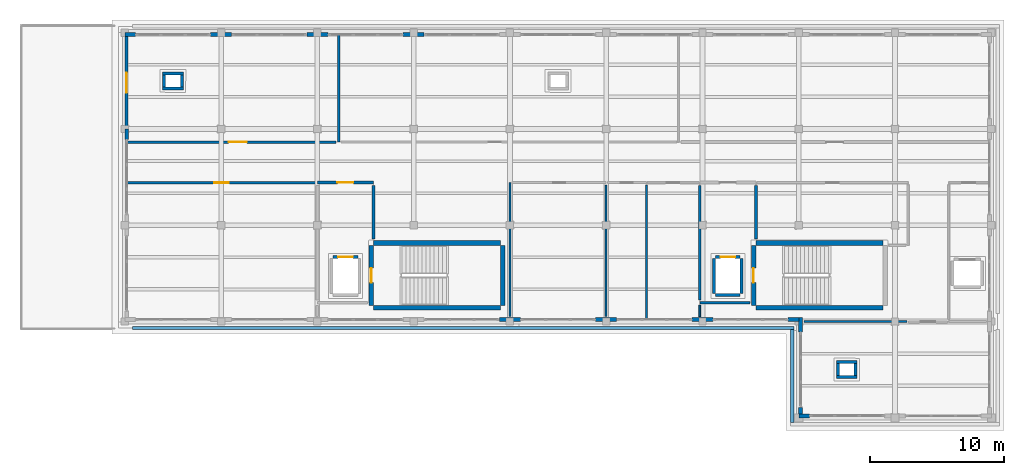
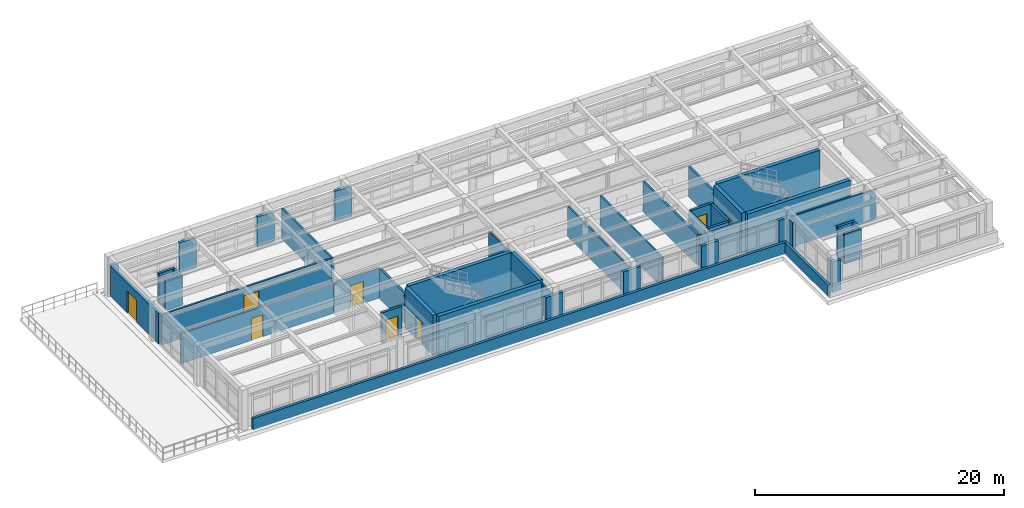
# One storey, part 15 of 21: 48 walls, 8 doors, 8 openings.
"""IFC4 building model written with IfcOpenShell, lengths in metres."""

import ifcopenshell
import ifcopenshell.guid

model = None  # the IFC model being written
_history = None  # IfcOwnerHistory: only IFC2X3 demands one
_inside = {}  # id of a spatial element -> (the spatial element, [elements in it])
_under = {}  # id of a project, library or spatial element -> (it, [spatial elements below it])
_declared = {}  # id of a project -> (the project, [libraries it declares])
_typed = {}  # id of a type object -> (the type object, [elements of that type])
_made_of = {}  # id of a material, layer set ... -> (it, [elements and type objects made of it])


def new_model(schema):
    """Start an empty IFC model of exactly this schema.

    Asked for "IFC4X3", IfcOpenShell would pick the latest addendum, in which some entities
    have other attributes; the version numbers below select the first issue.
    IFC2X3 requires an IfcOwnerHistory on every rooted entity: one is made here for all.
    """
    global model, _history
    if schema == "IFC4X3":
        model = ifcopenshell.file(schema_version=(4, 3, 0, 0))
    else:
        model = ifcopenshell.file(schema=schema)
    _inside.clear()
    _under.clear()
    _declared.clear()
    _typed.clear()
    _made_of.clear()
    _history = None
    if model.schema == "IFC2X3":
        org = make("IfcOrganization", Name="unknown")
        user = make(
            "IfcPersonAndOrganization",
            ThePerson=make("IfcPerson", FamilyName="unknown"),
            TheOrganization=org,
        )
        app = make(
            "IfcApplication",
            ApplicationDeveloper=org,
            Version="unknown",
            ApplicationFullName="unknown",
            ApplicationIdentifier="unknown",
        )
        _history = make(
            "IfcOwnerHistory",
            OwningUser=user,
            OwningApplication=app,
            ChangeAction="ADDED",
            CreationDate=0,
        )
    return model


def make(cls, **values):
    """One entity of the class cls with the attributes given. An attribute that is None is left unset."""
    return model.create_entity(
        cls, **{name: value for name, value in values.items() if value is not None}
    )


def rooted(cls, **values):
    """An entity with a GlobalId (a new one), such as an element, a storey or a relation."""
    return make(cls, GlobalId=ifcopenshell.guid.new(), OwnerHistory=_history, **values)


def si_unit(unit_type, name, prefix=None):
    """IfcSIUnit, for example si_unit("LENGTHUNIT", "METRE", prefix="MILLI")."""
    return make("IfcSIUnit", UnitType=unit_type, Prefix=prefix, Name=name)


def assignment(units):
    """IfcUnitAssignment: the units of a project."""
    return None if units is None else make("IfcUnitAssignment", Units=units)


def point(xyz):
    """IfcCartesianPoint."""
    return None if xyz is None else make("IfcCartesianPoint", Coordinates=xyz)


def direction(xyz):
    """IfcDirection."""
    return None if xyz is None else make("IfcDirection", DirectionRatios=xyz)


def frame(location, z_axis=None, x_axis=None):
    """IfcAxis2Placement3D, a coordinate frame: its origin and axes. An axis left out is left unset."""
    return make(
        "IfcAxis2Placement3D",
        Location=point(location),
        Axis=direction(z_axis),
        RefDirection=direction(x_axis),
    )


def frame_2d(location, x_axis=None):
    """IfcAxis2Placement2D, a coordinate frame in the plane: its origin and x axis."""
    return make(
        "IfcAxis2Placement2D", Location=point(location), RefDirection=direction(x_axis)
    )


def origin():
    """The frame at (0, 0, 0) with its axes left unset."""
    return frame((0.0, 0.0, 0.0))


def place(relative_to, where):
    """IfcLocalPlacement: puts the frame where relative to a parent placement (None: the world)."""
    return make(
        "IfcLocalPlacement", PlacementRelTo=relative_to, RelativePlacement=where
    )


def context(
    kind, dimensions, precision=None, world=None, true_north=None, identifier=None
):
    """IfcGeometricRepresentationContext, for example the 3D "Model" context."""
    return make(
        "IfcGeometricRepresentationContext",
        ContextIdentifier=identifier,
        ContextType=kind,
        CoordinateSpaceDimension=dimensions,
        Precision=precision,
        WorldCoordinateSystem=world,
        TrueNorth=true_north,
    )


def subcontext(parent, identifier, kind, view, scale=None):
    """IfcGeometricRepresentationSubContext, for example "Body" below "Model"."""
    return make(
        "IfcGeometricRepresentationSubContext",
        ContextIdentifier=identifier,
        ContextType=kind,
        ParentContext=parent,
        TargetScale=scale,
        TargetView=view,
    )


def project(units=None, contexts=None):
    """IfcProject with its units and contexts."""
    return rooted(
        "IfcProject",
        Name="project",
        RepresentationContexts=contexts,
        UnitsInContext=assignment(units),
    )


def spatial(cls, under=None, at=None, **own):
    """A site, building, storey or space (cls), placed at a placement, below another one or the project."""
    s = rooted(cls, ObjectPlacement=at, **own)
    if under is not None:
        _under.setdefault(under.id(), (under, []))[1].append(s)
    return s


def profile(cls, at=None, kind="AREA", **sizes):
    """A parametric profile (cls). Its sizes go by their IFC names, for example OverallWidth=200.0."""
    return make(cls, ProfileType=kind, Position=at, **sizes)


def rectangle(**sizes):
    """IfcRectangleProfileDef."""
    return profile("IfcRectangleProfileDef", **sizes)


def extrude(swept, where, along, depth):
    """IfcExtrudedAreaSolid: the profile swept, set in the frame where, extruded along a direction by depth."""
    return make(
        "IfcExtrudedAreaSolid",
        SweptArea=swept,
        Position=where,
        ExtrudedDirection=direction(along),
        Depth=depth,
    )


def shape(context_of_items, identifier, shape_type, items):
    """IfcShapeRepresentation: the items that make up one representation, for example the "Body"."""
    return make(
        "IfcShapeRepresentation",
        ContextOfItems=context_of_items,
        RepresentationIdentifier=identifier,
        RepresentationType=shape_type,
        Items=items,
    )


def material(Name=None, Category=None):
    """IfcMaterial."""
    return make("IfcMaterial", Name=Name, Category=Category)


def layer(
    of_material, thickness, ventilated=None, Name=None, Category=None, Priority=None
):
    """IfcMaterialLayer: one layer of a wall or slab, of a material (None: an air gap)."""
    return make(
        "IfcMaterialLayer",
        Material=of_material,
        LayerThickness=thickness,
        IsVentilated=ventilated,
        Name=Name,
        Category=Category,
        Priority=Priority,
    )


def layer_set(layers, Name=None):
    """IfcMaterialLayerSet."""
    return make("IfcMaterialLayerSet", MaterialLayers=layers, LayerSetName=Name)


def made_of(thing, what):
    """Note that an element or type object is made of a material, layer set ...; save() writes the relation."""
    if what is not None:
        _made_of.setdefault(what.id(), (what, []))[1].append(thing)
    return thing


def type_object(cls, material=None, **own):
    """A type object (cls), such as IfcWallType, which elements share."""
    return made_of(rooted(cls, **own), material)


def element(
    cls,
    number,
    at=None,
    inside=None,
    cuts=None,
    type_object=None,
    material=None,
    context=None,
    identifier="Body",
    shape_type=None,
    held_by="IfcProductDefinitionShape",
    body=None,
    shapes=None,
    **own,
):
    """One element of the class cls, such as IfcWall. Its Tag is "e" and its number.

    at: its placement. inside: the storey or other place that contains it. cuts: it is an
    opening in that element (IfcRelVoidsElement). A single representation is given by context,
    identifier, shape_type and body (its items); several are given by shapes. held_by: the class
    of the entity that holds the representations. save() writes the other relations.
    """
    e = rooted(cls, Tag="e%d" % number, ObjectPlacement=at, **own)
    if body is not None:
        shapes = [shape(context, identifier, shape_type, body)]
    if shapes is not None:
        e.Representation = make(held_by, Representations=shapes)
    if inside is not None:
        _inside.setdefault(inside.id(), (inside, []))[1].append(e)
    if cuts is not None:
        rooted(
            "IfcRelVoidsElement", RelatingBuildingElement=cuts, RelatedOpeningElement=e
        )
    if type_object is not None:
        _typed.setdefault(type_object.id(), (type_object, []))[1].append(e)
    return made_of(e, material)


def fill(opening, filler):
    """IfcRelFillsElement: the door or window that sits in an opening."""
    return rooted(
        "IfcRelFillsElement",
        RelatingOpeningElement=opening,
        RelatedBuildingElement=filler,
    )


def aggregate(whole, parts):
    """IfcRelAggregates: a whole, such as a stair, and the parts it consists of."""
    return rooted("IfcRelAggregates", RelatingObject=whole, RelatedObjects=parts)


def save(model, path):
    """Write the relations noted so far, then the file.

    IfcRelAggregates (storeys below a building ...), IfcRelContainedInSpatialStructure (elements
    in a storey), IfcRelDefinesByType, IfcRelAssociatesMaterial and IfcRelDeclares: one each for
    every whole, place, type object, material and project.
    """
    for whole, parts in _under.values():
        aggregate(whole, parts)
    for where, things in _inside.values():
        rooted(
            "IfcRelContainedInSpatialStructure",
            RelatedElements=things,
            RelatingStructure=where,
        )
    for kind, things in _typed.values():
        rooted("IfcRelDefinesByType", RelatedObjects=things, RelatingType=kind)
    for what, things in _made_of.values():
        rooted("IfcRelAssociatesMaterial", RelatedObjects=things, RelatingMaterial=what)
    for by, libraries in _declared.values():
        rooted("IfcRelDeclares", RelatingContext=by, RelatedDefinitions=libraries)
    model.write(path)


model = new_model("IFC4")

# Units and contexts
model_context = context("Model", 3, precision=1e-05, world=origin(), true_north=direction((0.0, 1.0)))
body_context = subcontext(model_context, "Body", "Model", "MODEL_VIEW")
ifc_project = project(units=[si_unit("LENGTHUNIT", "METRE"), si_unit("AREAUNIT", "SQUARE_METRE"), si_unit("VOLUMEUNIT", "CUBIC_METRE"), si_unit("PLANEANGLEUNIT", "RADIAN"), si_unit("MASSUNIT", "GRAM", prefix="KILO")], contexts=[model_context])

# Site, building, storey
site_placement = place(None, origin())
site = spatial("IfcSite", under=ifc_project, at=site_placement, CompositionType="ELEMENT")
building_placement = place(site_placement, origin())
building = spatial("IfcBuilding", under=site, at=building_placement, Name="Solenvale Faculty of Natural Sciences", CompositionType="ELEMENT")
storey_placement = place(building_placement, frame((0.0, 0.0, 31.199951171875)))
storey = spatial("IfcBuildingStorey", under=building, at=storey_placement, Name="L07", CompositionType="ELEMENT", Elevation=31.199951171875)

# Wall, opening, door
ifc_material_1 = material(Name="Precast concrete 40 MPa", Category="concrete")
ifc_layer_1 = layer(ifc_material_1, 0.2451171875)
ifc_layer_set_1 = layer_set([ifc_layer_1], Name="Precast concrete 40 MPa")
wall_type_1 = type_object("IfcWallType", Name="WL-EXT-PRC-245", PredefinedType="STANDARD", material=ifc_layer_set_1)
wall_1_placement = place(storey_placement, frame((86.5224609375, 108.0, 0.0), z_axis=(0.0, 0.0, 1.0), x_axis=(0.0, 1.0, 0.0)))
wall_1 = element("IfcWall", 1, at=wall_1_placement, inside=storey, type_object=wall_type_1, Name="L07 Exterior Wall 3.1", PredefinedType="STANDARD", context=body_context, shape_type="SweptSolid", body=[
    extrude(rectangle(XDim=6.9150390625, YDim=0.2451171875, at=frame_2d((3.45751953125, 0.0))), origin(), (0.0, 0.0, 1.0), 2.9599609375),
])
opening_1_placement = place(wall_1_placement, frame((2.7080078125, 0.0, 0.0)))
opening_1 = element("IfcOpeningElement", 2, at=opening_1_placement, cuts=wall_1, Name="Opening TD-46", PredefinedType="OPENING", context=body_context, shape_type="SweptSolid", body=[
    extrude(rectangle(XDim=1.5, YDim=2.14990234375, at=frame_2d((0.75, 1.074951171875))), frame((0.0, 0.132568359375, 0.0), z_axis=(0.0, -1.0, 0.0), x_axis=(1.0, 0.0, 0.0)), (0.0, 0.0, 1.0), 0.26513671875),
])
ifc_material_2 = material(Name="Anodised bronze aluminium", Category="aluminium")
door_type_1 = type_object("IfcDoorType", Name="DR-TER-1500x2150", OperationType="NOTDEFINED", PredefinedType="DOOR", material=ifc_material_2)
door_1_placement = place(opening_1_placement, origin())
door_1 = element("IfcDoor", 3, at=door_1_placement, inside=storey, type_object=door_type_1, Name="L07 Exterior Terrace Door TD-46", OperationType="DOUBLE_DOOR_SINGLE_SWING", OverallHeight=2.14990234375, OverallWidth=1.5, PredefinedType="DOOR", context=body_context, shape_type="SweptSolid", body=[
    extrude(rectangle(XDim=1.5, YDim=2.14990234375, at=frame_2d((0.75, 1.074951171875))), frame((0.0, 0.02490234375, 0.0), z_axis=(0.0, -1.0, 0.0), x_axis=(1.0, 0.0, 0.0)), (0.0, 0.0, 1.0), 0.050048828125),
])
fill(opening_1, door_1)

# Walls
ifc_layer_2 = layer(ifc_material_1, 0.284912109375)
ifc_layer_set_2 = layer_set([ifc_layer_2], Name="Precast concrete 40 MPa")
wall_type_2 = type_object("IfcWallType", Name="WL-EXT-PRC-285", PredefinedType="STANDARD", material=ifc_layer_set_2)
wall_2_placement = place(storey_placement, frame((108.7880859375, 115.0576171875, 0.0), z_axis=(0.0, 0.0, 1.0), x_axis=(-1.0, 0.0, 0.0)))
element("IfcWall", 4, at=wall_2_placement, inside=storey, type_object=wall_type_2, Name="L07 Facade Closure Pier 2.B6-R", PredefinedType="STANDARD", context=body_context, shape_type="SweptSolid", body=[
    extrude(rectangle(XDim=1.576171875, YDim=0.284912109375, at=frame_2d((0.7880859375, 0.0))), origin(), (0.0, 0.0, 1.0), 2.9599609375),
])
for number, where, z_axis, x_axis, name in (
    (5, (101.587890625, 115.0576171875, 0.0), (0.0, 0.0, 1.0), (-1.0, 0.0, 0.0), "L07 Facade Closure Pier 2.B7-R"),
    (6, (94.387939453125, 115.0576171875, 0.0), (0.0, 0.0, 1.0), (-1.0, 0.0, 0.0), "L07 Facade Closure Pier 2.B8-R"),
):
    element("IfcWall", number, at=place(storey_placement, frame(where, z_axis=z_axis, x_axis=x_axis)), inside=storey, type_object=wall_type_2, Name=name, PredefinedType="STANDARD", context=body_context, shape_type="SweptSolid", body=[
        extrude(rectangle(XDim=1.575927734375, YDim=0.284912109375, at=frame_2d((0.7880859375, 0.0))), origin(), (0.0, 0.0, 1.0), 2.9599609375),
    ])
for number, where, z_axis, x_axis, name in (
    (7, (87.18798828125, 115.0576171875, 0.0), (0.0, 0.0, 1.0), (-1.0, 0.0, 0.0), "L07 Facade Closure Pier 2.B9-R"),
    (8, (86.54248046875, 108.0, 0.0), (0.0, 0.0, 1.0), (0.0, -1.0, 0.0), "L07 Facade Closure Pier 3.B2-L"),
):
    element("IfcWall", number, at=place(storey_placement, frame(where, z_axis=z_axis, x_axis=x_axis)), inside=storey, type_object=wall_type_2, Name=name, PredefinedType="STANDARD", context=body_context, shape_type="SweptSolid", body=[
        extrude(rectangle(XDim=0.7880859375, YDim=0.284912109375, at=frame_2d((0.39404296875, 0.0))), origin(), (0.0, 0.0, 1.0), 2.9599609375),
    ])
for number, where, z_axis, x_axis, name in (
    (9, (114.412109375, 93.742431640625, 0.0), (0.0, 0.0, 1.0), (1.0, 0.0, 0.0), "L07 Facade Closure Pier 4.B4-R"),
    (10, (121.612060546875, 93.742431640625, 0.0), (0.0, 0.0, 1.0), (1.0, 0.0, 0.0), "L07 Facade Closure Pier 4.B5-R"),
    (11, (128.81201171875, 93.742431640625, 0.0), (0.0, 0.0, 1.0), (1.0, 0.0, 0.0), "L07 Facade Closure Pier 4.B6-R"),
):
    element("IfcWall", number, at=place(storey_placement, frame(where, z_axis=z_axis, x_axis=x_axis)), inside=storey, type_object=wall_type_2, Name=name, PredefinedType="STANDARD", context=body_context, shape_type="SweptSolid", body=[
        extrude(rectangle(XDim=1.575927734375, YDim=0.284912109375, at=frame_2d((0.7880859375, 0.0))), origin(), (0.0, 0.0, 1.0), 2.9599609375),
    ])
wall_3_placement = place(storey_placement, frame((136.011962890625, 93.742431640625, 0.0), z_axis=(0.0, 0.0, 1.0), x_axis=(1.0, 0.0, 0.0)))
element("IfcWall", 12, at=wall_3_placement, inside=storey, type_object=wall_type_2, Name="L07 Facade Closure Pier 4.B7-R", PredefinedType="STANDARD", context=body_context, shape_type="SweptSolid", body=[
    extrude(rectangle(XDim=0.7880859375, YDim=0.284912109375, at=frame_2d((0.39404296875, 0.0))), origin(), (0.0, 0.0, 1.0), 2.9599609375),
])
wall_4_placement = place(storey_placement, frame((136.9423828125, 93.885009765625, 0.0), z_axis=(0.0, 0.0, 1.0), x_axis=(0.0, -1.0, 0.0)))
element("IfcWall", 13, at=wall_4_placement, inside=storey, type_object=wall_type_2, Name="L07 Facade Closure Pier 5.B1-L", PredefinedType="STANDARD", context=body_context, shape_type="SweptSolid", body=[
    extrude(rectangle(XDim=1.072998046875, YDim=0.284912109375, at=frame_2d((0.53662109375, 0.0))), origin(), (0.0, 0.0, 1.0), 2.9599609375),
])
wall_5_placement = place(storey_placement, frame((136.9423828125, 87.18798828125, 0.0), z_axis=(0.0, 0.0, 1.0), x_axis=(0.0, -1.0, 0.0)))
element("IfcWall", 14, at=wall_5_placement, inside=storey, type_object=wall_type_2, Name="L07 Facade Closure Pier 5.B1-R", PredefinedType="STANDARD", context=body_context, shape_type="SweptSolid", body=[
    extrude(rectangle(XDim=0.5029296875, YDim=0.284912109375, at=frame_2d((0.25146484375, 0.0))), origin(), (0.0, 0.0, 1.0), 2.9599609375),
])
wall_6_placement = place(storey_placement, frame((136.800048828125, 86.54248046875, 0.0), z_axis=(0.0, 0.0, 1.0), x_axis=(1.0, 0.0, 0.0)))
element("IfcWall", 15, at=wall_6_placement, inside=storey, type_object=wall_type_2, Name="L07 Facade Closure Pier 6.B1-L", PredefinedType="STANDARD", context=body_context, shape_type="SweptSolid", body=[
    extrude(rectangle(XDim=0.787841796875, YDim=0.284912109375, at=frame_2d((0.39404296875, 0.0))), origin(), (0.0, 0.0, 1.0), 2.9599609375),
])

# Wall, opening, door
ifc_material_3 = material(Name="Gypsum fire-rated shaftwall")
ifc_layer_3 = layer(ifc_material_3, 0.205078125)
ifc_layer_set_3 = layer_set([ifc_layer_3], Name="Gypsum fire-rated shaftwall")
wall_type_3 = type_object("IfcWallType", Name="WL-FFL-205", PredefinedType="PARTITIONING", material=ifc_layer_set_3)
wall_7_placement = place(storey_placement, frame((100.800048828125, 104.0, 0.0), z_axis=(0.0, 0.0, 1.0), x_axis=(1.0, 0.0, 0.0)))
wall_7 = element("IfcWall", 16, at=wall_7_placement, inside=storey, type_object=wall_type_3, Name="L07 Firefighting Lobby C4 Partition 1", PredefinedType="PARTITIONING", context=body_context, shape_type="SweptSolid", body=[
    extrude(rectangle(XDim=4.199951171875, YDim=0.205078125, at=frame_2d((2.10009765625, 0.0))), origin(), (0.0, 0.0, 1.0), 2.9599609375),
])
opening_2_placement = place(wall_7_placement, frame((1.5, 0.0, 0.0)))
opening_2 = element("IfcOpeningElement", 17, at=opening_2_placement, cuts=wall_7, Name="Opening D-L07-01", PredefinedType="OPENING", context=body_context, shape_type="SweptSolid", body=[
    extrude(rectangle(XDim=1.199951171875, YDim=2.14990234375, at=frame_2d((0.60009765625, 1.074951171875))), frame((0.0, 0.112548828125, 0.0), z_axis=(0.0, -1.0, 0.0), x_axis=(1.0, 0.0, 0.0)), (0.0, 0.0, 1.0), 0.22509765625),
])
ifc_material_4 = material(Name="Galvanised steel S355", Category="steel")
door_type_2 = type_object("IfcDoorType", Name="DR-FFL-1200x2150", OperationType="NOTDEFINED", PredefinedType="DOOR", material=ifc_material_4)
door_2_placement = place(opening_2_placement, origin())
door_2 = element("IfcDoor", 18, at=door_2_placement, inside=storey, type_object=door_type_2, Name="L07 Firefighting Lobby C4 Door", OperationType="SINGLE_SWING_RIGHT", OverallHeight=2.14990234375, OverallWidth=1.199951171875, PredefinedType="DOOR", context=body_context, shape_type="SweptSolid", body=[
    extrude(rectangle(XDim=1.199951171875, YDim=2.14990234375, at=frame_2d((0.60009765625, 1.074951171875))), frame((0.0, 0.02490234375, 0.0), z_axis=(0.0, -1.0, 0.0), x_axis=(1.0, 0.0, 0.0)), (0.0, 0.0, 1.0), 0.050048828125),
])
fill(opening_2, door_2)

# Walls
for number, where, z_axis, x_axis, name in (
    (19, (105.0, 103.782958984375, 0.0), (0.0, 0.0, 1.0), (0.0, -1.0, 0.0), "L07 Firefighting Lobby C4 Partition 2"),
    (20, (133.60009765625, 103.782958984375, 0.0), (0.0, 0.0, 1.0), (0.0, -1.0, 0.0), "L07 Firefighting Lobby C5 Partition 2"),
):
    element("IfcWall", number, at=place(storey_placement, frame(where, z_axis=z_axis, x_axis=x_axis)), inside=storey, type_object=wall_type_3, Name=name, PredefinedType="PARTITIONING", context=body_context, shape_type="SweptSolid", body=[
        extrude(rectangle(XDim=4.01904296875, YDim=0.205078125, at=frame_2d((2.009521484375, 0.0))), origin(), (0.0, 0.0, 1.0), 2.9599609375),
    ])
wall_8_placement = place(storey_placement, frame((133.135986328125, 95.0, 0.0), z_axis=(0.0, 0.0, 1.0), x_axis=(-1.0, 0.0, 0.0)))
element("IfcWall", 21, at=wall_8_placement, inside=storey, type_object=wall_type_3, Name="L07 Firefighting Lobby C5 Partition 20", PredefinedType="PARTITIONING", context=body_context, shape_type="SweptSolid", body=[
    extrude(rectangle(XDim=3.736083984375, YDim=0.205078125, at=frame_2d((1.8681640625, 0.0))), origin(), (0.0, 0.0, 1.0), 2.9599609375),
])
wall_9_placement = place(storey_placement, frame((129.39990234375, 95.217041015625, 0.0), z_axis=(0.0, 0.0, 1.0), x_axis=(0.0, 1.0, 0.0)))
element("IfcWall", 22, at=wall_9_placement, inside=storey, type_object=wall_type_3, Name="L07 Firefighting Lobby C5 Partition 21", PredefinedType="PARTITIONING", context=body_context, shape_type="SweptSolid", body=[
    extrude(rectangle(XDim=8.56591796875, YDim=0.205078125, at=frame_2d((4.282958984375, 0.0))), origin(), (0.0, 0.0, 1.0), 2.9599609375),
])
ifc_material_5 = material(Name="Gypsum fire-rated laboratory partition")
ifc_layer_4 = layer(ifc_material_5, 0.18505859375)
ifc_layer_set_4 = layer_set([ifc_layer_4], Name="Gypsum fire-rated laboratory partition")
wall_type_4 = type_object("IfcWallType", Name="WL-LAB-185", PredefinedType="PARTITIONING", material=ifc_layer_set_4)
wall_10_placement = place(storey_placement, frame((102.39990234375, 115.01708984375, 0.0), z_axis=(0.0, 0.0, 1.0), x_axis=(0.0, -1.0, 0.0)))
element("IfcWall", 23, at=wall_10_placement, inside=storey, type_object=wall_type_4, Name="L07 Biophysics and Neurobiology Research Laboratory Partition 3", PredefinedType="PARTITIONING", context=body_context, shape_type="SweptSolid", body=[
    extrude(rectangle(XDim=7.9970703125, YDim=0.18505859375, at=frame_2d((3.99853515625, 0.0))), origin(), (0.0, 0.0, 1.0), 2.9599609375),
])

# Wall, opening, door
wall_11_placement = place(storey_placement, frame((102.202880859375, 107.02001953125, 0.0), z_axis=(0.0, 0.0, 1.0), x_axis=(-1.0, 0.0, 0.0)))
wall_11 = element("IfcWall", 24, at=wall_11_placement, inside=storey, type_object=wall_type_4, Name="L07 Biophysics and Neurobiology Research Laboratory Partition 4", PredefinedType="PARTITIONING", context=body_context, shape_type="SweptSolid", body=[
    extrude(rectangle(XDim=15.619873046875, YDim=0.18505859375, at=frame_2d((7.81005859375, 0.0))), origin(), (0.0, 0.0, 1.0), 2.9599609375),
])
opening_3_placement = place(wall_11_placement, frame((6.669921875, 0.0, 0.0)))
opening_3 = element("IfcOpeningElement", 25, at=opening_3_placement, cuts=wall_11, Name="Opening D-L07-03", PredefinedType="OPENING", context=body_context, shape_type="SweptSolid", body=[
    extrude(rectangle(XDim=1.3798828125, YDim=2.14990234375, at=frame_2d((0.68994140625, 1.074951171875))), frame((0.0, 0.1025390625, 0.0), z_axis=(0.0, -1.0, 0.0), x_axis=(1.0, 0.0, 0.0)), (0.0, 0.0, 1.0), 0.205078125),
])
ifc_material_6 = material(Name="Oak acoustic timber leaf", Category="wood")
door_type_3 = type_object("IfcDoorType", Name="DR-LAB-1380x2150", OperationType="NOTDEFINED", PredefinedType="DOOR", material=ifc_material_6)
door_3_placement = place(opening_3_placement, origin())
door_3 = element("IfcDoor", 26, at=door_3_placement, inside=storey, type_object=door_type_3, Name="L07 Biophysics and Neurobiology Research Laboratory Door", OperationType="SINGLE_SWING_RIGHT", OverallHeight=2.14990234375, OverallWidth=1.3798828125, PredefinedType="DOOR", context=body_context, shape_type="SweptSolid", body=[
    extrude(rectangle(XDim=1.3798828125, YDim=2.14990234375, at=frame_2d((0.68994140625, 1.074951171875))), frame((0.0, 0.02490234375, 0.0), z_axis=(0.0, -1.0, 0.0), x_axis=(1.0, 0.0, 0.0)), (0.0, 0.0, 1.0), 0.050048828125),
])
fill(opening_3, door_3)

# Walls
ifc_material_7 = material(Name="Acoustic stud gypsum partition")
ifc_layer_5 = layer(ifc_material_7, 0.132080078125)
ifc_layer_set_5 = layer_set([ifc_layer_5], Name="Acoustic stud gypsum partition")
wall_type_5 = type_object("IfcWallType", Name="WL-OFF-132", PredefinedType="PARTITIONING", material=ifc_layer_set_5)
wall_12_placement = place(storey_placement, frame((129.39990234375, 94.819091796875, 0.0), z_axis=(0.0, 0.0, 1.0), x_axis=(0.0, -1.0, 0.0)))
element("IfcWall", 27, at=wall_12_placement, inside=storey, type_object=wall_type_5, Name="L07 Analytical Balance Room Partition 20", PredefinedType="PARTITIONING", context=body_context, shape_type="SweptSolid", body=[
    extrude(rectangle(XDim=0.856201171875, YDim=0.132080078125, at=frame_2d((0.42822265625, 0.0))), origin(), (0.0, 0.0, 1.0), 2.9599609375),
])
ifc_material_8 = material(Name="Architectural bronze concrete 40 MPa", Category="concrete")
ifc_layer_6 = layer(ifc_material_8, 0.239990234375)
ifc_layer_set_6 = layer_set([ifc_layer_6], Name="Architectural bronze concrete 40 MPa")
wall_type_6 = type_object("IfcWallType", Name="WL-PAR-BRZ-240", PredefinedType="PARAPET", material=ifc_layer_set_6)
wall_13_placement = place(storey_placement, frame((136.43994140625, 93.1201171875, 0.0), z_axis=(0.0, 0.0, 1.0), x_axis=(-1.0, 0.0, 0.0)))
element("IfcWall", 28, at=wall_13_placement, inside=storey, type_object=wall_type_6, Name="L07 Tower Horizontal Concrete Band 1", PredefinedType="PARAPET", context=body_context, shape_type="SweptSolid", body=[
    extrude(rectangle(XDim=49.47998046875, YDim=0.239990234375, at=frame_2d((24.739990234375, 0.0))), origin(), (0.0, 0.0, 1.0), 1.1201171875),
])
wall_14_placement = place(storey_placement, frame((136.320068359375, 86.0400390625, 0.0), z_axis=(0.0, 0.0, 1.0), x_axis=(0.0, 1.0, 0.0)))
element("IfcWall", 29, at=wall_14_placement, inside=storey, type_object=wall_type_6, Name="L07 Tower Horizontal Concrete Band 6", PredefinedType="PARAPET", context=body_context, shape_type="SweptSolid", body=[
    extrude(rectangle(XDim=6.9599609375, YDim=0.239990234375, at=frame_2d((3.47998046875, 0.0))), origin(), (0.0, 0.0, 1.0), 1.1201171875),
])
ifc_material_9 = material(Name="Acoustic double-stud gypsum partition")
ifc_layer_7 = layer(ifc_material_9, 0.155029296875)
ifc_layer_set_7 = layer_set([ifc_layer_7], Name="Acoustic double-stud gypsum partition")
wall_type_7 = type_object("IfcWallType", Name="WL-SEM-155", PredefinedType="PARTITIONING", material=ifc_layer_set_7)
wall_15_placement = place(storey_placement, frame((137.174072265625, 93.60009765625, 0.0), z_axis=(0.0, 0.0, 1.0), x_axis=(1.0, 0.0, 0.0)))
element("IfcWall", 30, at=wall_15_placement, inside=storey, type_object=wall_type_7, Name="L07 Seminar Room Partition 33", PredefinedType="PARTITIONING", context=body_context, shape_type="SweptSolid", body=[
    extrude(rectangle(XDim=7.73681640625, YDim=0.155029296875, at=frame_2d((3.868408203125, 0.0))), origin(), (0.0, 0.0, 1.0), 2.9599609375),
])

# Wall, opening, door
ifc_layer_8 = layer(ifc_material_9, 0.179931640625)
ifc_layer_set_8 = layer_set([ifc_layer_8], Name="Acoustic double-stud gypsum partition")
wall_type_8 = type_object("IfcWallType", Name="WL-SEM-180", PredefinedType="PARTITIONING", material=ifc_layer_set_8)
wall_16_placement = place(storey_placement, frame((86.5830078125, 103.97998046875, 0.0), z_axis=(0.0, 0.0, 1.0), x_axis=(1.0, 0.0, 0.0)))
wall_16 = element("IfcWall", 31, at=wall_16_placement, inside=storey, type_object=wall_type_8, Name="L07 Seminar Room Partition 2", PredefinedType="PARTITIONING", context=body_context, shape_type="SweptSolid", body=[
    extrude(rectangle(XDim=14.114990234375, YDim=0.179931640625, at=frame_2d((7.0576171875, 0.0))), origin(), (0.0, 0.0, 1.0), 2.9599609375),
])
opening_4_placement = place(wall_16_placement, frame((6.51708984375, 0.0, 0.0)))
opening_4 = element("IfcOpeningElement", 32, at=opening_4_placement, cuts=wall_16, Name="Opening D-L07-06", PredefinedType="OPENING", context=body_context, shape_type="SweptSolid", body=[
    extrude(rectangle(XDim=1.080078125, YDim=2.14990234375, at=frame_2d((0.5400390625, 1.074951171875))), frame((0.0, 0.099853515625, 0.0), z_axis=(0.0, -1.0, 0.0), x_axis=(1.0, 0.0, 0.0)), (0.0, 0.0, 1.0), 0.199951171875),
])
door_type_4 = type_object("IfcDoorType", Name="DR-SEM-1080x2150", OperationType="NOTDEFINED", PredefinedType="DOOR", material=ifc_material_6)
door_4_placement = place(opening_4_placement, origin())
door_4 = element("IfcDoor", 33, at=door_4_placement, inside=storey, type_object=door_type_4, Name="L07 Seminar Room Door", OperationType="SINGLE_SWING_LEFT", OverallHeight=2.14990234375, OverallWidth=1.080078125, PredefinedType="DOOR", context=body_context, shape_type="SweptSolid", body=[
    extrude(rectangle(XDim=1.080078125, YDim=2.14990234375, at=frame_2d((0.5400390625, 1.074951171875))), frame((0.0, 0.02490234375, 0.0), z_axis=(0.0, -1.0, 0.0), x_axis=(1.0, 0.0, 0.0)), (0.0, 0.0, 1.0), 0.050048828125),
])
fill(opening_4, door_4)

ifc_material_10 = material(Name="Concrete 40 MPa", Category="concrete")
ifc_layer_9 = layer(ifc_material_10, 0.219970703125)
ifc_layer_set_9 = layer_set([ifc_layer_9], Name="Concrete 40 MPa")
wall_type_9 = type_object("IfcWallType", Name="WL-SHF-220", PredefinedType="STANDARD", material=ifc_layer_set_9)
wall_17_placement = place(storey_placement, frame((101.97998046875, 98.429931640625, 0.0), z_axis=(0.0, 0.0, 1.0), x_axis=(1.0, 0.0, 0.0)))
wall_17 = element("IfcWall", 34, at=wall_17_placement, inside=storey, type_object=wall_type_9, Name="Elevator LF-01 L07 Shaft Wall N", PredefinedType="STANDARD", context=body_context, shape_type="SweptSolid", body=[
    extrude(rectangle(XDim=1.840087890625, YDim=0.219970703125, at=frame_2d((0.919921875, 0.0))), origin(), (0.0, 0.0, 1.0), 2.9599609375),
])
opening_5_placement = place(wall_17_placement, frame((0.3701171875, 0.0, 0.0)))
opening_5 = element("IfcOpeningElement", 35, at=opening_5_placement, cuts=wall_17, Name="Opening LD-LF-01-L07", PredefinedType="OPENING", context=body_context, shape_type="SweptSolid", body=[
    extrude(rectangle(XDim=1.10009765625, YDim=2.14990234375, at=frame_2d((0.550048828125, 1.074951171875))), frame((0.0, 0.119873046875, 0.0), z_axis=(0.0, -1.0, 0.0), x_axis=(1.0, 0.0, 0.0)), (0.0, 0.0, 1.0), 0.239990234375),
])
ifc_material_11 = material(Name="Stainless steel Grade 304", Category="steel")
door_type_5 = type_object("IfcDoorType", Name="DR-LIFT-1100x2150", OperationType="NOTDEFINED", PredefinedType="DOOR", material=ifc_material_11)
door_5_placement = place(opening_5_placement, origin())
door_5 = element("IfcDoor", 36, at=door_5_placement, inside=storey, type_object=door_type_5, Name="Elevator LF-01 L07 Sliding Landing Door", OperationType="SLIDING_TO_RIGHT", OverallHeight=2.14990234375, OverallWidth=1.10009765625, PredefinedType="DOOR", context=body_context, shape_type="SweptSolid", body=[
    extrude(rectangle(XDim=1.10009765625, YDim=2.14990234375, at=frame_2d((0.550048828125, 1.074951171875))), frame((0.0, 0.02490234375, 0.0), z_axis=(0.0, -1.0, 0.0), x_axis=(1.0, 0.0, 0.0)), (0.0, 0.0, 1.0), 0.050048828125),
])
fill(opening_5, door_5)

# Wall
wall_18_placement = place(storey_placement, frame((130.580078125, 95.570068359375, 0.0), z_axis=(0.0, 0.0, 1.0), x_axis=(1.0, 0.0, 0.0)))
element("IfcWall", 37, at=wall_18_placement, inside=storey, type_object=wall_type_9, Name="Elevator LF-02 L07 Shaft Wall S", PredefinedType="STANDARD", context=body_context, shape_type="SweptSolid", body=[
    extrude(rectangle(XDim=1.83984375, YDim=0.219970703125, at=frame_2d((0.919921875, 0.0))), origin(), (0.0, 0.0, 1.0), 2.9599609375),
])

# Wall, opening, door
wall_19_placement = place(storey_placement, frame((130.580078125, 98.429931640625, 0.0), z_axis=(0.0, 0.0, 1.0), x_axis=(1.0, 0.0, 0.0)))
wall_19 = element("IfcWall", 38, at=wall_19_placement, inside=storey, type_object=wall_type_9, Name="Elevator LF-02 L07 Shaft Wall N", PredefinedType="STANDARD", context=body_context, shape_type="SweptSolid", body=[
    extrude(rectangle(XDim=1.83984375, YDim=0.219970703125, at=frame_2d((0.919921875, 0.0))), origin(), (0.0, 0.0, 1.0), 2.9599609375),
])
opening_6_placement = place(wall_19_placement, frame((0.3701171875, 0.0, 0.0)))
opening_6 = element("IfcOpeningElement", 39, at=opening_6_placement, cuts=wall_19, Name="Opening LD-LF-02-L07", PredefinedType="OPENING", context=body_context, shape_type="SweptSolid", body=[
    extrude(rectangle(XDim=1.10009765625, YDim=2.14990234375, at=frame_2d((0.550048828125, 1.074951171875))), frame((0.0, 0.119873046875, 0.0), z_axis=(0.0, -1.0, 0.0), x_axis=(1.0, 0.0, 0.0)), (0.0, 0.0, 1.0), 0.239990234375),
])
door_6_placement = place(opening_6_placement, origin())
door_6 = element("IfcDoor", 40, at=door_6_placement, inside=storey, type_object=door_type_5, Name="Elevator LF-02 L07 Sliding Landing Door", OperationType="SLIDING_TO_RIGHT", OverallHeight=2.14990234375, OverallWidth=1.10009765625, PredefinedType="DOOR", context=body_context, shape_type="SweptSolid", body=[
    extrude(rectangle(XDim=1.10009765625, YDim=2.14990234375, at=frame_2d((0.550048828125, 1.074951171875))), frame((0.0, 0.02490234375, 0.0), z_axis=(0.0, -1.0, 0.0), x_axis=(1.0, 0.0, 0.0)), (0.0, 0.0, 1.0), 0.050048828125),
])
fill(opening_6, door_6)

# Walls
for number, where, z_axis, x_axis, name in (
    (41, (130.469970703125, 95.679931640625, 0.0), (0.0, 0.0, 1.0), (0.0, 1.0, 0.0), "Elevator LF-02 L07 Shaft Wall W"),
    (42, (132.530029296875, 95.679931640625, 0.0), (0.0, 0.0, 1.0), (0.0, 1.0, 0.0), "Elevator LF-02 L07 Shaft Wall E"),
):
    element("IfcWall", number, at=place(storey_placement, frame(where, z_axis=z_axis, x_axis=x_axis)), inside=storey, type_object=wall_type_9, Name=name, PredefinedType="STANDARD", context=body_context, shape_type="SweptSolid", body=[
        extrude(rectangle(XDim=2.64013671875, YDim=0.219970703125, at=frame_2d((1.320068359375, 0.0))), origin(), (0.0, 0.0, 1.0), 2.9599609375),
    ])
for number, where, z_axis, x_axis, name in (
    (43, (89.22998046875, 111.0400390625, 0.0), (0.0, 0.0, 1.0), (1.0, 0.0, 0.0), "L07 Service Riser Shaft 1 Wall S"),
    (44, (89.22998046875, 112.159912109375, 0.0), (0.0, 0.0, 1.0), (1.0, 0.0, 0.0), "L07 Service Riser Shaft 1 Wall N"),
):
    element("IfcWall", number, at=place(storey_placement, frame(where, z_axis=z_axis, x_axis=x_axis)), inside=storey, type_object=wall_type_9, Name=name, PredefinedType="STANDARD", context=body_context, shape_type="SweptSolid", body=[
        extrude(rectangle(XDim=1.5400390625, YDim=0.219970703125, at=frame_2d((0.77001953125, 0.0))), origin(), (0.0, 0.0, 1.0), 2.9599609375),
    ])
for number, where, z_axis, x_axis, name in (
    (45, (89.340087890625, 111.14990234375, 0.0), (0.0, 0.0, 1.0), (0.0, 1.0, 0.0), "L07 Service Riser Shaft 1 Wall W"),
    (46, (90.659912109375, 111.14990234375, 0.0), (0.0, 0.0, 1.0), (0.0, 1.0, 0.0), "L07 Service Riser Shaft 1 Wall E"),
):
    element("IfcWall", number, at=place(storey_placement, frame(where, z_axis=z_axis, x_axis=x_axis)), inside=storey, type_object=wall_type_9, Name=name, PredefinedType="STANDARD", context=body_context, shape_type="SweptSolid", body=[
        extrude(rectangle(XDim=0.900146484375, YDim=0.219970703125, at=frame_2d((0.4501953125, 0.0))), origin(), (0.0, 0.0, 1.0), 2.9599609375),
    ])
for number, where, z_axis, x_axis, name in (
    (47, (139.6298828125, 89.43994140625, 0.0), (0.0, 0.0, 1.0), (1.0, 0.0, 0.0), "L07 Service Riser Shaft 3 Wall S"),
    (48, (139.6298828125, 90.56005859375, 0.0), (0.0, 0.0, 1.0), (1.0, 0.0, 0.0), "L07 Service Riser Shaft 3 Wall N"),
):
    element("IfcWall", number, at=place(storey_placement, frame(where, z_axis=z_axis, x_axis=x_axis)), inside=storey, type_object=wall_type_9, Name=name, PredefinedType="STANDARD", context=body_context, shape_type="SweptSolid", body=[
        extrude(rectangle(XDim=1.5400390625, YDim=0.219970703125, at=frame_2d((0.77001953125, 0.0))), origin(), (0.0, 0.0, 1.0), 2.9599609375),
    ])
for number, where, z_axis, x_axis, name in (
    (49, (139.739990234375, 89.550048828125, 0.0), (0.0, 0.0, 1.0), (0.0, 1.0, 0.0), "L07 Service Riser Shaft 3 Wall W"),
    (50, (141.06005859375, 89.550048828125, 0.0), (0.0, 0.0, 1.0), (0.0, 1.0, 0.0), "L07 Service Riser Shaft 3 Wall E"),
):
    element("IfcWall", number, at=place(storey_placement, frame(where, z_axis=z_axis, x_axis=x_axis)), inside=storey, type_object=wall_type_9, Name=name, PredefinedType="STANDARD", context=body_context, shape_type="SweptSolid", body=[
        extrude(rectangle(XDim=0.89990234375, YDim=0.219970703125, at=frame_2d((0.449951171875, 0.0))), origin(), (0.0, 0.0, 1.0), 2.9599609375),
    ])
ifc_material_12 = material(Name="Concrete 50 MPa", Category="concrete")
ifc_layer_10 = layer(ifc_material_12, 0.35009765625)
ifc_layer_set_10 = layer_set([ifc_layer_10], Name="Concrete 50 MPa")
wall_type_10 = type_object("IfcWallType", Name="WL-SHR-350", PredefinedType="SHEAR", material=ifc_layer_set_10)
for number, where, z_axis, x_axis, name in (
    (51, (105.0, 94.625, 0.0), (0.0, 0.0, 1.0), (1.0, 0.0, 0.0), "Core C4 L07 Shear Wall S"),
    (52, (105.0, 99.47509765625, 0.0), (0.0, 0.0, 1.0), (1.0, 0.0, 0.0), "Core C4 L07 Shear Wall N"),
):
    element("IfcWall", number, at=place(storey_placement, frame(where, z_axis=z_axis, x_axis=x_axis)), inside=storey, type_object=wall_type_10, Name=name, PredefinedType="SHEAR", context=body_context, shape_type="SweptSolid", body=[
        extrude(rectangle(XDim=9.5, YDim=0.35009765625, at=frame_2d((4.75, 0.0))), origin(), (0.0, 0.0, 1.0), 3.920166015625),
    ])

# Wall, opening, door
wall_20_placement = place(storey_placement, frame((104.824951171875, 94.800048828125, 0.0), z_axis=(0.0, 0.0, 1.0), x_axis=(0.0, 1.0, 0.0)))
wall_20 = element("IfcWall", 53, at=wall_20_placement, inside=storey, type_object=wall_type_10, Name="Core C4 L07 Shear Wall W", PredefinedType="SHEAR", context=body_context, shape_type="SweptSolid", body=[
    extrude(rectangle(XDim=4.5, YDim=0.35009765625, at=frame_2d((2.25, 0.0))), origin(), (0.0, 0.0, 1.0), 3.920166015625),
])
opening_7_placement = place(wall_20_placement, frame((1.699951171875, 0.0, 0.0)))
opening_7 = element("IfcOpeningElement", 54, at=opening_7_placement, cuts=wall_20, Name="Opening DS-C4-L07", PredefinedType="OPENING", context=body_context, shape_type="SweptSolid", body=[
    extrude(rectangle(XDim=1.10009765625, YDim=2.14990234375, at=frame_2d((0.550048828125, 1.074951171875))), frame((0.0, 0.18505859375, 0.0), z_axis=(0.0, -1.0, 0.0), x_axis=(1.0, 0.0, 0.0)), (0.0, 0.0, 1.0), 0.3701171875),
])
door_type_6 = type_object("IfcDoorType", Name="DR-STAIR-1100x2150", OperationType="NOTDEFINED", PredefinedType="DOOR", material=ifc_material_4)
door_7_placement = place(opening_7_placement, origin())
door_7 = element("IfcDoor", 55, at=door_7_placement, inside=storey, type_object=door_type_6, Name="L07 Stair ST-04 Fire Door", OperationType="SINGLE_SWING_RIGHT", OverallHeight=2.14990234375, OverallWidth=1.10009765625, PredefinedType="DOOR", context=body_context, shape_type="SweptSolid", body=[
    extrude(rectangle(XDim=1.10009765625, YDim=2.14990234375, at=frame_2d((0.550048828125, 1.074951171875))), frame((0.0, 0.02490234375, 0.0), z_axis=(0.0, -1.0, 0.0), x_axis=(1.0, 0.0, 0.0)), (0.0, 0.0, 1.0), 0.050048828125),
])
fill(opening_7, door_7)

# Walls
wall_21_placement = place(storey_placement, frame((114.675048828125, 94.800048828125, 0.0), z_axis=(0.0, 0.0, 1.0), x_axis=(0.0, 1.0, 0.0)))
element("IfcWall", 56, at=wall_21_placement, inside=storey, type_object=wall_type_10, Name="Core C4 L07 Shear Wall E", PredefinedType="SHEAR", context=body_context, shape_type="SweptSolid", body=[
    extrude(rectangle(XDim=4.5, YDim=0.35009765625, at=frame_2d((2.25, 0.0))), origin(), (0.0, 0.0, 1.0), 3.920166015625),
])
for number, where, z_axis, x_axis, name in (
    (57, (133.60009765625, 94.625, 0.0), (0.0, 0.0, 1.0), (1.0, 0.0, 0.0), "Core C5 L07 Shear Wall S"),
    (58, (133.60009765625, 99.47509765625, 0.0), (0.0, 0.0, 1.0), (1.0, 0.0, 0.0), "Core C5 L07 Shear Wall N"),
):
    element("IfcWall", number, at=place(storey_placement, frame(where, z_axis=z_axis, x_axis=x_axis)), inside=storey, type_object=wall_type_10, Name=name, PredefinedType="SHEAR", context=body_context, shape_type="SweptSolid", body=[
        extrude(rectangle(XDim=9.5, YDim=0.35009765625, at=frame_2d((4.75, 0.0))), origin(), (0.0, 0.0, 1.0), 3.920166015625),
    ])

# Wall, opening, door
wall_22_placement = place(storey_placement, frame((133.425048828125, 94.800048828125, 0.0), z_axis=(0.0, 0.0, 1.0), x_axis=(0.0, 1.0, 0.0)))
wall_22 = element("IfcWall", 59, at=wall_22_placement, inside=storey, type_object=wall_type_10, Name="Core C5 L07 Shear Wall W", PredefinedType="SHEAR", context=body_context, shape_type="SweptSolid", body=[
    extrude(rectangle(XDim=4.5, YDim=0.35009765625, at=frame_2d((2.25, 0.0))), origin(), (0.0, 0.0, 1.0), 3.920166015625),
])
opening_8_placement = place(wall_22_placement, frame((1.699951171875, 0.0, 0.0)))
opening_8 = element("IfcOpeningElement", 60, at=opening_8_placement, cuts=wall_22, Name="Opening DS-C5-L07", PredefinedType="OPENING", context=body_context, shape_type="SweptSolid", body=[
    extrude(rectangle(XDim=1.10009765625, YDim=2.14990234375, at=frame_2d((0.550048828125, 1.074951171875))), frame((0.0, 0.18505859375, 0.0), z_axis=(0.0, -1.0, 0.0), x_axis=(1.0, 0.0, 0.0)), (0.0, 0.0, 1.0), 0.3701171875),
])
door_8_placement = place(opening_8_placement, origin())
door_8 = element("IfcDoor", 61, at=door_8_placement, inside=storey, type_object=door_type_6, Name="L07 Stair ST-05 Fire Door", OperationType="SINGLE_SWING_RIGHT", OverallHeight=2.14990234375, OverallWidth=1.10009765625, PredefinedType="DOOR", context=body_context, shape_type="SweptSolid", body=[
    extrude(rectangle(XDim=1.10009765625, YDim=2.14990234375, at=frame_2d((0.550048828125, 1.074951171875))), frame((0.0, 0.02490234375, 0.0), z_axis=(0.0, -1.0, 0.0), x_axis=(1.0, 0.0, 0.0)), (0.0, 0.0, 1.0), 0.050048828125),
])
fill(opening_8, door_8)

# Walls
ifc_material_13 = material(Name="Moisture-resistant tile partition")
ifc_layer_11 = layer(ifc_material_13, 0.14990234375)
ifc_layer_set_11 = layer_set([ifc_layer_11], Name="Moisture-resistant tile partition")
wall_type_11 = type_object("IfcWallType", Name="WL-WC-150", PredefinedType="PARTITIONING", material=ifc_layer_set_11)
wall_23_placement = place(storey_placement, frame((115.199951171875, 93.971923828125, 0.0), z_axis=(0.0, 0.0, 1.0), x_axis=(0.0, 1.0, 0.0)))
element("IfcWall", 62, at=wall_23_placement, inside=storey, type_object=wall_type_11, Name="L07 Public Washroom Partition 1", PredefinedType="PARTITIONING", context=body_context, shape_type="SweptSolid", body=[
    extrude(rectangle(XDim=10.008056640625, YDim=0.14990234375, at=frame_2d((5.00390625, 0.0))), origin(), (0.0, 0.0, 1.0), 2.9599609375),
])
wall_24_placement = place(storey_placement, frame((122.39990234375, 103.818115234375, 0.0), z_axis=(0.0, 0.0, 1.0), x_axis=(0.0, -1.0, 0.0)))
element("IfcWall", 63, at=wall_24_placement, inside=storey, type_object=wall_type_11, Name="L07 Public Washroom Partition 3", PredefinedType="PARTITIONING", context=body_context, shape_type="SweptSolid", body=[
    extrude(rectangle(XDim=9.84619140625, YDim=0.14990234375, at=frame_2d((4.923095703125, 0.0))), origin(), (0.0, 0.0, 1.0), 2.9599609375),
])
wall_25_placement = place(storey_placement, frame((125.39990234375, 103.818115234375, 0.0), z_axis=(0.0, 0.0, 1.0), x_axis=(0.0, -1.0, 0.0)))
element("IfcWall", 64, at=wall_25_placement, inside=storey, type_object=wall_type_11, Name="L07 Accessible Washroom Partition 3", PredefinedType="PARTITIONING", context=body_context, shape_type="SweptSolid", body=[
    extrude(rectangle(XDim=10.03515625, YDim=0.14990234375, at=frame_2d((5.017578125, 0.0))), origin(), (0.0, 0.0, 1.0), 2.9599609375),
])

save(model, "model.ifc")
